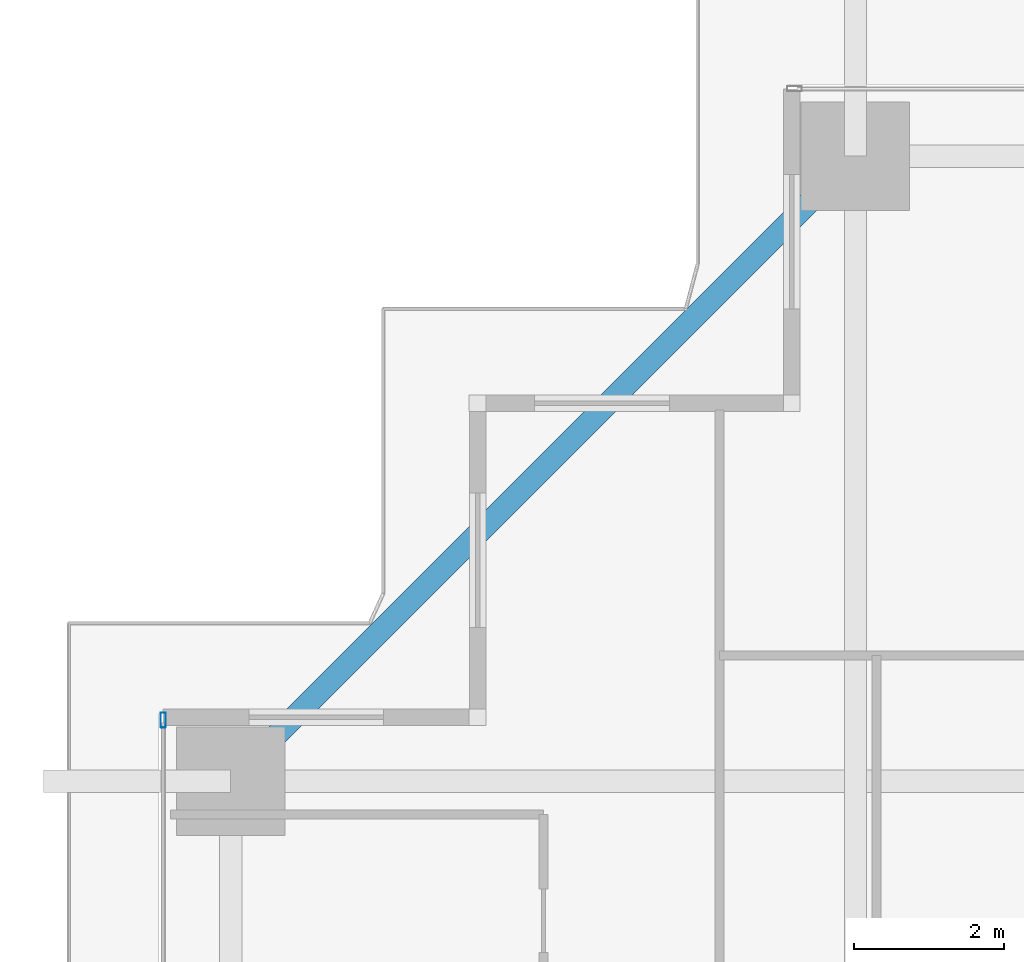
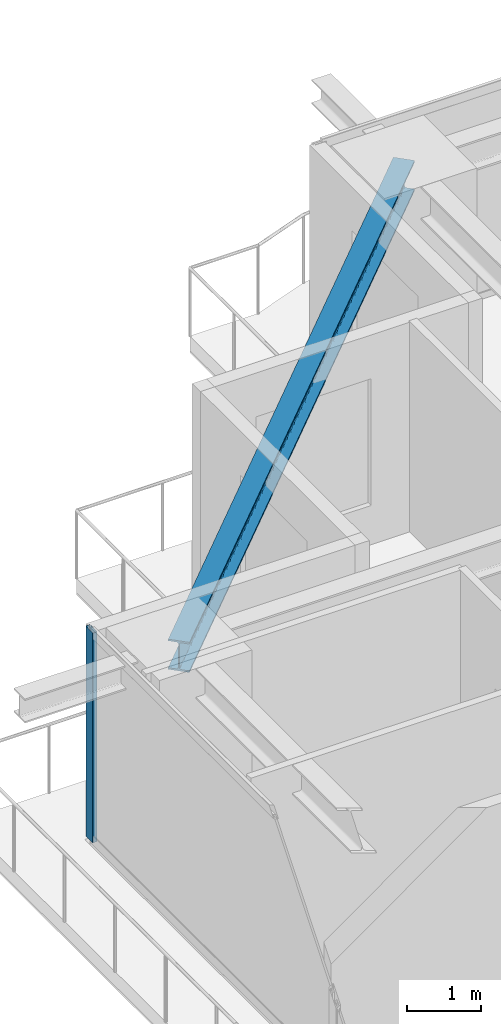
# One storey, part 18 of 38: 1 beam, 1 member, 1 element without a shape of its own.
"""IFC4 building model written with IfcOpenShell, lengths in metres."""

from ifc_helpers import new_model, si_unit, direction, frame, origin, origin_2d, place, context, subcontext, project, spatial, hollow_rectangle, i_section, extrude, source, transform, mapped, material, layer, layer_set, material_profile, profile_set, type_object, element, aggregate, save


model = new_model("IFC4")

# Units and contexts
model_context = context("Model", 3, precision=1e-05, world=origin(), true_north=direction((0.0, 1.0)))
body_context = subcontext(model_context, "Body", "Model", "MODEL_VIEW")
ifc_project = project(units=[si_unit("LENGTHUNIT", "METRE"), si_unit("AREAUNIT", "SQUARE_METRE"), si_unit("VOLUMEUNIT", "CUBIC_METRE"), si_unit("PLANEANGLEUNIT", "RADIAN"), si_unit("MASSUNIT", "GRAM", prefix="KILO")], contexts=[model_context])

# Site, building, storey
site_placement = place(None, origin())
site = spatial("IfcSite", under=ifc_project, at=site_placement, CompositionType="ELEMENT")
building_placement = place(site_placement, origin())
building = spatial("IfcBuilding", under=site, at=building_placement, Name="Serunith Strait Residences", CompositionType="ELEMENT")
storey_placement = place(building_placement, frame((0.0, 0.0, 37.949951171875)))
storey = spatial("IfcBuildingStorey", under=building, at=storey_placement, Name="L08", CompositionType="ELEMENT", Elevation=37.949951171875)

# Beam
ifc_material_1 = material(Name="Steel S355J2", Category="steel")
ifc_material_profile_1 = material_profile(ifc_material_1, i_section(OverallWidth=0.300048828125, OverallDepth=0.5, WebThickness=0.014404296875, FlangeThickness=0.028076171875, FilletRadius=0.027099609375, at=origin_2d()), Name="HEB 500")
ifc_profile_set_1 = profile_set([ifc_material_profile_1], Name="Steel S355J2")
beam_type = type_object("IfcBeamType", Name="BM-HEB500", PredefinedType="BEAM", material=ifc_profile_set_1)
shared_shape_1 = source(origin(), body_context, "Body", "SweptSolid", [
    extrude(i_section(OverallWidth=0.300048828125, OverallDepth=0.5, WebThickness=0.014404296875, FlangeThickness=0.028076171875, FilletRadius=0.027099609375, at=origin_2d()), origin(), (0.0, 0.0, 1.0), 11.808837890625),
])
beam_placement = place(storey_placement, frame((15.25, 49.300048828125, 3.20703125), z_axis=(-0.707106781187, -0.707106781187, 0.0), x_axis=(0.707106781187, -0.707106781187, 0.0)))
element("IfcBeam", 1, at=beam_placement, inside=storey, type_object=beam_type, Name="L08 Perimeter Ring Beam 12", PredefinedType="BEAM", context=body_context, shape_type="MappedRepresentation", body=[
    mapped(shared_shape_1, transform((0.0, 0.0, 0.0), scale=1.0)),
])

# Curtain wall, member
ifc_material_2 = material(Name="Pale-Champagne Anodised Aluminium", Category="aluminium")
ifc_layer = layer(ifc_material_2, 0.199951171875, Name="Pale-Champagne Anodised Aluminium")
ifc_layer_set = layer_set([ifc_layer], Name="Pale-Champagne Anodised Aluminium")
curtain_wall_type = type_object("IfcCurtainWallType", Name="CW-SYS1", PredefinedType="NOTDEFINED", material=ifc_layer_set)
curtain_wall_placement = place(storey_placement, origin())
curtain_wall = element("IfcCurtainWall", 2, at=curtain_wall_placement, inside=storey, type_object=curtain_wall_type, Name="L08 W Unitised Fritted Curtain Wall", PredefinedType="NOTDEFINED")
ifc_material_profile_2 = material_profile(ifc_material_2, hollow_rectangle(XDim=0.070068359375, YDim=0.199951171875, WallThickness=0.00390625, InnerFilletRadius=0.006103515625, OuterFilletRadius=0.010009765625, at=origin_2d()), Name="ALU 200x70x4")
ifc_profile_set_2 = profile_set([ifc_material_profile_2], Name="Pale-Champagne Anodised Aluminium")
member_type = type_object("IfcMemberType", Name="CW-SYS1-MULL", PredefinedType="MULLION", material=ifc_profile_set_2)
shared_shape_2 = source(origin(), body_context, "Body", "SweptSolid", [
    extrude(hollow_rectangle(XDim=0.070068359375, YDim=0.199951171875, WallThickness=0.00390625, InnerFilletRadius=0.006103515625, OuterFilletRadius=0.010009765625, at=origin_2d()), origin(), (0.0, 0.0, 1.0), 3.47509765625),
])
member_placement = place(storey_placement, frame((6.0, 41.764892578125, 0.0), z_axis=(0.0, 0.0, 1.0), x_axis=(1.0, 0.0, 0.0)))
member = element("IfcMember", 3, at=member_placement, type_object=member_type, Name="CW-1 mullion 1", PredefinedType="MULLION", context=body_context, shape_type="MappedRepresentation", body=[
    mapped(shared_shape_2, transform((0.0, 0.0, 0.0), scale=1.0)),
])
aggregate(curtain_wall, [member])

save(model, "model.ifc")
